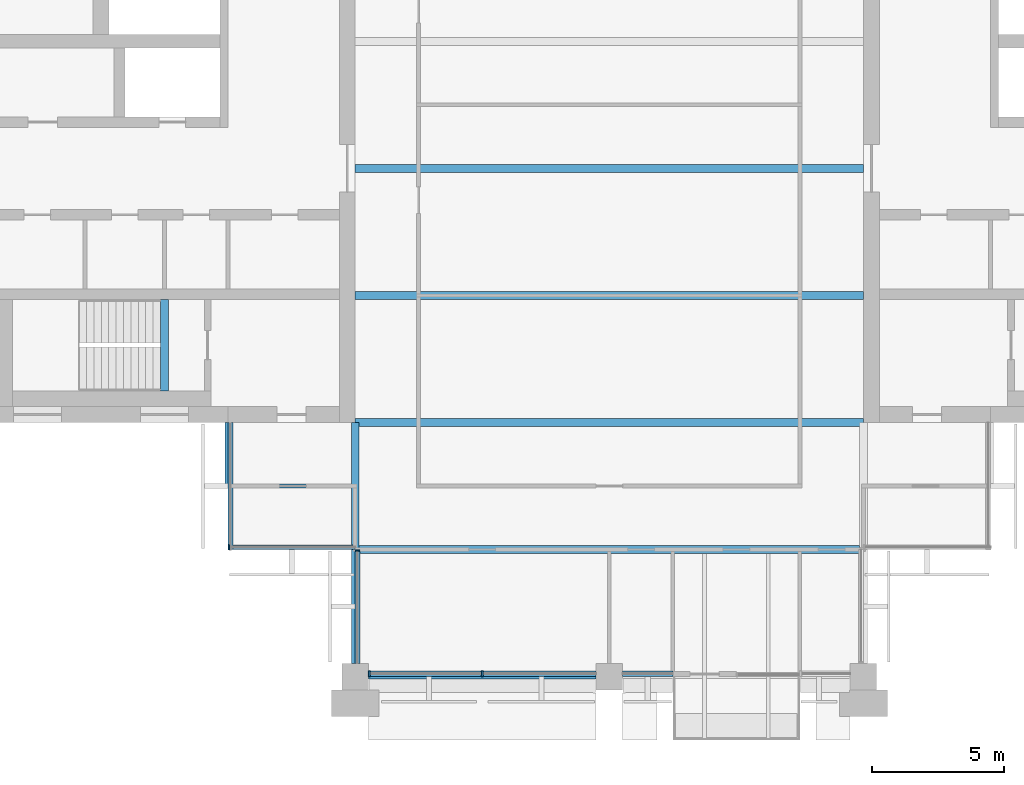
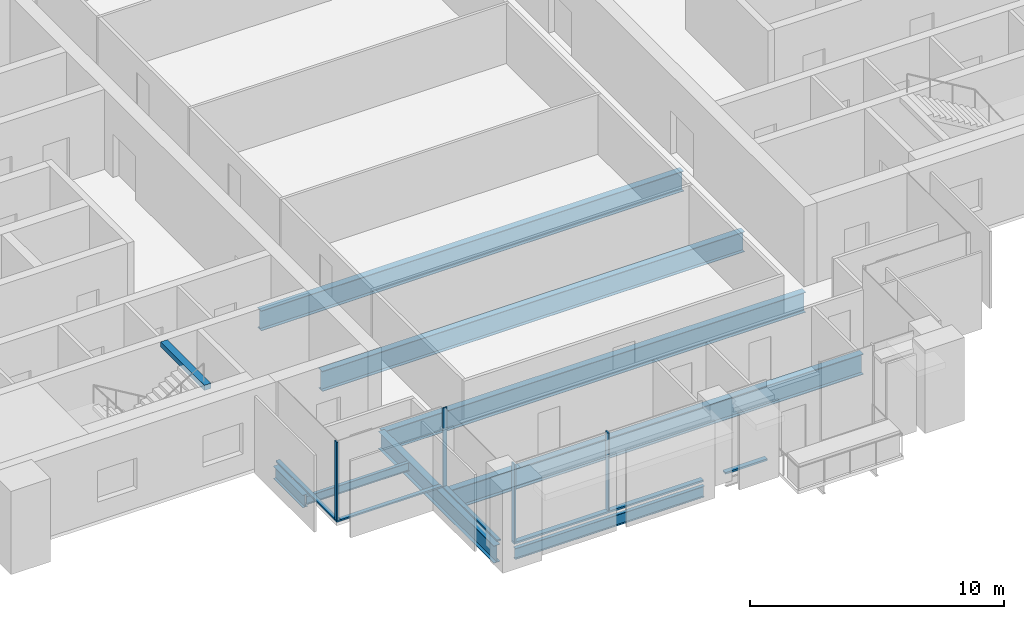
# One storey, part 2 of 13: 9 beams, 9 members, 4 elements without a shape of their own.
"""IFC4 building model written with IfcOpenShell, lengths in metres."""

from ifc_helpers import new_model, si_unit, direction, frame, origin, origin_2d, place, context, subcontext, project, spatial, rectangle, i_section, extrude, material, material_profile, profile_set, type_object, element, aggregate, save


model = new_model("IFC4")

# Units and contexts
model_context = context("Model", 3, precision=1e-05, world=origin(), true_north=direction((0.0, 1.0)))
body_context = subcontext(model_context, "Body", "Model", "MODEL_VIEW")
ifc_project = project(units=[si_unit("LENGTHUNIT", "METRE"), si_unit("AREAUNIT", "SQUARE_METRE"), si_unit("VOLUMEUNIT", "CUBIC_METRE"), si_unit("PLANEANGLEUNIT", "RADIAN"), si_unit("MASSUNIT", "GRAM", prefix="KILO")], contexts=[model_context])

# Site, building, storey
site_placement = place(None, origin())
site = spatial("IfcSite", under=ifc_project, at=site_placement, CompositionType="ELEMENT")
building_placement = place(site_placement, origin())
building = spatial("IfcBuilding", under=site, at=building_placement, Name="Baori Bourse Tower", CompositionType="ELEMENT")
storey_placement = place(building_placement, frame((0.0, 0.0, 326.300048828125)))
storey = spatial("IfcBuildingStorey", under=building, at=storey_placement, Name="L72", CompositionType="ELEMENT", Elevation=326.300048828125)

# Curtain wall, member
ifc_material_1 = material(Name="Pale anodised aluminium", Category="aluminium")
curtain_wall_type_1 = type_object("IfcCurtainWallType", Name="CW2 Curtain wall", PredefinedType="NOTDEFINED", material=ifc_material_1)
curtain_wall_1_placement = place(storey_placement, origin())
curtain_wall_1 = element("IfcCurtainWall", 1, at=curtain_wall_1_placement, inside=storey, type_object=curtain_wall_type_1, Name="Curtain wall CW2 L72 11", PredefinedType="NOTDEFINED")
ifc_material_2 = material(Name="Pale anodised aluminium", Category="aluminium")
ifc_material_profile_1 = material_profile(ifc_material_2, rectangle(XDim=0.179931640625, YDim=0.054931640625, at=origin_2d()), Name="Mullion 55x180")
ifc_profile_set_1 = profile_set([ifc_material_profile_1], Name="Pale anodised aluminium")
member_type_1 = type_object("IfcMemberType", Name="CW2 Curtain wall mullion", PredefinedType="MULLION", material=ifc_profile_set_1)
member_1_placement = place(storey_placement, frame((14.427490234375, 4.889892578125, 0.070068359375), z_axis=(0.0, 0.0, 1.0), x_axis=(0.0, 1.0, 0.0)))
member_1 = element("IfcMember", 2, at=member_1_placement, type_object=member_type_1, Name="Curtain wall CW2 mullion", PredefinedType="MULLION", context=body_context, shape_type="SweptSolid", body=[
    extrude(rectangle(XDim=0.179931640625, YDim=0.054931640625, at=origin_2d()), origin(), (0.0, 0.0, 1.0), 3.769775390625),
])

curtain_wall_2_placement = place(storey_placement, origin())
curtain_wall_2 = element("IfcCurtainWall", 3, at=curtain_wall_2_placement, inside=storey, type_object=curtain_wall_type_1, Name="Curtain wall CW2 L72 12", PredefinedType="NOTDEFINED")
member_2_placement = place(storey_placement, frame((19.2900390625, 4.7724609375, 0.070068359375), z_axis=(0.0, 0.0, 1.0), x_axis=(1.0, 0.0, 0.0)))
member_2 = element("IfcMember", 4, at=member_2_placement, type_object=member_type_1, Name="Curtain wall CW2 mullion", PredefinedType="MULLION", context=body_context, shape_type="SweptSolid", body=[
    extrude(rectangle(XDim=0.179931640625, YDim=0.054931640625, at=origin_2d()), origin(), (0.0, 0.0, 1.0), 3.769775390625),
])

curtain_wall_3_placement = place(storey_placement, origin())
curtain_wall_3 = element("IfcCurtainWall", 5, at=curtain_wall_3_placement, inside=storey, type_object=curtain_wall_type_1, Name="Curtain wall CW2 L72 10", PredefinedType="NOTDEFINED")
ifc_material_3 = material(Name="Pale anodised aluminium", Category="aluminium")
ifc_material_profile_2 = material_profile(ifc_material_3, rectangle(XDim=0.179931640625, YDim=0.070068359375, at=origin_2d()), Name="Transom 70x180")
ifc_profile_set_2 = profile_set([ifc_material_profile_2], Name="Pale anodised aluminium")
member_type_2 = type_object("IfcMemberType", Name="CW2 Curtain wall transom", PredefinedType="USERDEFINED", material=ifc_profile_set_2)
member_3_placement = place(storey_placement, frame((14.489990234375, 9.60009765625, 0.034912109375), z_axis=(0.0, -1.0, 0.0), x_axis=(1.0, 0.0, 0.0)))
member_3 = element("IfcMember", 6, at=member_3_placement, type_object=member_type_2, Name="Curtain wall CW2 sill rail", ObjectType="TRANSOM", PredefinedType="USERDEFINED", context=body_context, shape_type="SweptSolid", body=[
    extrude(rectangle(XDim=0.179931640625, YDim=0.070068359375, at=origin_2d()), origin(), (0.0, 0.0, 1.0), 4.800048828125),
])
aggregate(curtain_wall_3, [member_3])

# Member
member_4_placement = place(storey_placement, frame((14.39990234375, 4.889892578125, 0.034912109375), z_axis=(1.0, 0.0, 0.0), x_axis=(0.0, 1.0, 0.0)))
member_4 = element("IfcMember", 7, at=member_4_placement, type_object=member_type_2, Name="Curtain wall CW2 sill rail", ObjectType="TRANSOM", PredefinedType="USERDEFINED", context=body_context, shape_type="SweptSolid", body=[
    extrude(rectangle(XDim=0.179931640625, YDim=0.070068359375, at=origin_2d()), origin(), (0.0, 0.0, 1.0), 4.800048828125),
])

aggregate(curtain_wall_1, [member_4, member_1])

member_5_placement = place(storey_placement, frame((19.2900390625, 4.800048828125, 0.034912109375), z_axis=(0.0, -1.0, 0.0), x_axis=(1.0, 0.0, 0.0)))
member_5 = element("IfcMember", 8, at=member_5_placement, type_object=member_type_2, Name="Curtain wall CW2 sill rail", ObjectType="TRANSOM", PredefinedType="USERDEFINED", context=body_context, shape_type="SweptSolid", body=[
    extrude(rectangle(XDim=0.179931640625, YDim=0.070068359375, at=origin_2d()), origin(), (0.0, 0.0, 1.0), 4.300048828125),
])

aggregate(curtain_wall_2, [member_5, member_2])

# Curtain wall, members
ifc_material_4 = material(Name="Pale anodised aluminium", Category="aluminium")
curtain_wall_type_2 = type_object("IfcCurtainWallType", Name="CW5 Curtain wall", PredefinedType="NOTDEFINED", material=ifc_material_4)
curtain_wall_4_placement = place(storey_placement, origin())
curtain_wall_4 = element("IfcCurtainWall", 9, at=curtain_wall_4_placement, inside=storey, type_object=curtain_wall_type_2, Name="Curtain wall CW5 L72 13", PredefinedType="NOTDEFINED")
ifc_material_5 = material(Name="Pale anodised aluminium", Category="aluminium")
ifc_material_profile_3 = material_profile(ifc_material_5, rectangle(XDim=0.219970703125, YDim=0.06494140625, at=origin_2d()), Name="Mullion 65x220")
ifc_profile_set_3 = profile_set([ifc_material_profile_3], Name="Pale anodised aluminium")
member_type_3 = type_object("IfcMemberType", Name="CW5 Curtain wall mullion", PredefinedType="MULLION", material=ifc_profile_set_3)
member_6_placement = place(storey_placement, frame((19.732421875, 0.110107421875, 0.0849609375), z_axis=(0.0, 0.0, 1.0), x_axis=(0.0, 1.0, 0.0)))
member_6 = element("IfcMember", 10, at=member_6_placement, type_object=member_type_3, Name="Curtain wall CW5 mullion", PredefinedType="MULLION", context=body_context, shape_type="SweptSolid", body=[
    extrude(rectangle(XDim=0.219970703125, YDim=0.06494140625, at=origin_2d()), origin(), (0.0, 0.0, 1.0), 3.7548828125),
])
member_7_placement = place(storey_placement, frame((24.0, 0.110107421875, 0.0849609375), z_axis=(0.0, 0.0, 1.0), x_axis=(0.0, 1.0, 0.0)))
member_7 = element("IfcMember", 11, at=member_7_placement, type_object=member_type_3, Name="Curtain wall CW5 mullion", PredefinedType="MULLION", context=body_context, shape_type="SweptSolid", body=[
    extrude(rectangle(XDim=0.219970703125, YDim=0.06494140625, at=origin_2d()), origin(), (0.0, 0.0, 1.0), 3.7548828125),
])
ifc_material_6 = material(Name="Pale anodised aluminium", Category="aluminium")
ifc_material_profile_4 = material_profile(ifc_material_6, rectangle(XDim=0.219970703125, YDim=0.0849609375, at=origin_2d()), Name="Transom 85x220")
ifc_profile_set_4 = profile_set([ifc_material_profile_4], Name="Pale anodised aluminium")
member_type_4 = type_object("IfcMemberType", Name="CW5 Curtain wall transom", PredefinedType="USERDEFINED", material=ifc_profile_set_4)
member_8_placement = place(storey_placement, frame((19.699951171875, 0.110107421875, 0.04248046875), z_axis=(1.0, 0.0, 0.0), x_axis=(0.0, 1.0, 0.0)))
member_8 = element("IfcMember", 12, at=member_8_placement, type_object=member_type_4, Name="Curtain wall CW5 sill rail", ObjectType="TRANSOM", PredefinedType="USERDEFINED", context=body_context, shape_type="SweptSolid", body=[
    extrude(rectangle(XDim=0.219970703125, YDim=0.0849609375, at=origin_2d()), origin(), (0.0, 0.0, 1.0), 8.60009765625),
])
member_9_placement = place(storey_placement, frame((29.300048828125, 0.110107421875, 0.04248046875), z_axis=(1.0, 0.0, 0.0), x_axis=(0.0, 1.0, 0.0)))
member_9 = element("IfcMember", 13, at=member_9_placement, type_object=member_type_4, Name="Curtain wall CW5 sill rail", ObjectType="TRANSOM", PredefinedType="USERDEFINED", context=body_context, shape_type="SweptSolid", body=[
    extrude(rectangle(XDim=0.219970703125, YDim=0.0849609375, at=origin_2d()), origin(), (0.0, 0.0, 1.0), 1.89990234375),
])
aggregate(curtain_wall_4, [member_8, member_6, member_7, member_9])

# Beams
ifc_material_7 = material(Name="Steel A992 Gr 50", Category="steel")
ifc_material_profile_5 = material_profile(ifc_material_7, i_section(OverallWidth=0.227783203125, OverallDepth=0.60205078125, WebThickness=0.010498046875, FlangeThickness=0.014892578125, at=origin_2d()), Name="W24x68")
ifc_profile_set_5 = profile_set([ifc_material_profile_5], Name="Steel A992 Gr 50")
beam_type_1 = type_object("IfcBeamType", Name="Core bracket W24x68", PredefinedType="BEAM", material=ifc_profile_set_5)
beam_1_placement = place(storey_placement, frame((14.39990234375, 7.270263671875, -0.4609375), z_axis=(0.0, 1.0, 0.0), x_axis=(-1.0, 0.0, 0.0)))
element("IfcBeam", 14, at=beam_1_placement, inside=storey, type_object=beam_type_1, Name="Core bracket L72", PredefinedType="BEAM", context=body_context, shape_type="SweptSolid", body=[
    extrude(i_section(OverallWidth=0.227783203125, OverallDepth=0.60205078125, WebThickness=0.010498046875, FlangeThickness=0.014892578125, at=origin_2d()), origin(), (0.0, 0.0, 1.0), 2.329833984375),
])
ifc_material_8 = material(Name="Steel A992 Gr 50", Category="steel")
ifc_material_profile_6 = material_profile(ifc_material_8, i_section(OverallWidth=0.1650390625, OverallDepth=0.52587890625, WebThickness=0.0087890625, FlangeThickness=0.011474609375, at=origin_2d()), Name="W21x44")
ifc_profile_set_6 = profile_set([ifc_material_profile_6], Name="Steel A992 Gr 50")
beam_type_2 = type_object("IfcBeamType", Name="Edge beam W21x44", PredefinedType="BEAM", material=ifc_profile_set_6)
beam_2_placement = place(storey_placement, frame((19.699951171875, 0.0, -0.4228515625), z_axis=(1.0, 0.0, 0.0), x_axis=(0.0, 1.0, 0.0)))
element("IfcBeam", 15, at=beam_2_placement, inside=storey, type_object=beam_type_2, Name="Edge beam L72", PredefinedType="BEAM", context=body_context, shape_type="SweptSolid", body=[
    extrude(i_section(OverallWidth=0.1650390625, OverallDepth=0.52587890625, WebThickness=0.0087890625, FlangeThickness=0.011474609375, at=origin_2d()), origin(), (0.0, 0.0, 1.0), 8.60009765625),
])
ifc_material_9 = material(Name="Steel A992 Gr 50", Category="steel")
ifc_material_profile_7 = material_profile(ifc_material_9, i_section(OverallWidth=0.2998046875, OverallDepth=0.97021484375, WebThickness=0.01611328125, FlangeThickness=0.02099609375, at=origin_2d()), Name="W40x149")
ifc_profile_set_7 = profile_set([ifc_material_profile_7], Name="Steel A992 Gr 50")
beam_type_3 = type_object("IfcBeamType", Name="Floor beam W40x149", PredefinedType="BEAM", material=ifc_profile_set_7)
for number, where, z_axis, x_axis, name in (
    (16, (19.199951171875, 9.60009765625, -0.645263671875), (1.0, 0.0, 0.0), (0.0, 1.0, 0.0), "Floor beam L72"),
    (17, (19.199951171875, 14.39990234375, -0.645263671875), (1.0, 0.0, 0.0), (0.0, 1.0, 0.0), "Floor beam L72"),
    (18, (19.199951171875, 19.199951171875, -0.645263671875), (1.0, 0.0, 0.0), (0.0, 1.0, 0.0), "Floor beam L72"),
):
    element("IfcBeam", number, at=place(storey_placement, frame(where, z_axis=z_axis, x_axis=x_axis)), inside=storey, type_object=beam_type_3, Name=name, PredefinedType="BEAM", context=body_context, shape_type="SweptSolid", body=[
        extrude(i_section(OverallWidth=0.2998046875, OverallDepth=0.97021484375, WebThickness=0.01611328125, FlangeThickness=0.02099609375, at=origin_2d()), origin(), (0.0, 0.0, 1.0), 19.199951171875),
    ])
ifc_material_10 = material(Name="Steel A992 Gr 50", Category="steel")
ifc_material_profile_8 = material_profile(ifc_material_10, i_section(OverallWidth=0.2998046875, OverallDepth=0.990478515625, WebThickness=0.0166015625, FlangeThickness=0.030517578125, at=origin_2d()), Name="W40x183")
ifc_profile_set_8 = profile_set([ifc_material_profile_8], Name="Steel A992 Gr 50")
beam_type_4 = type_object("IfcBeamType", Name="Floor beam W40x183", PredefinedType="BEAM", material=ifc_profile_set_8)
beam_3_placement = place(storey_placement, frame((19.345947265625, 4.800048828125, -0.6552734375), z_axis=(1.0, 0.0, 0.0), x_axis=(0.0, 1.0, 0.0)))
element("IfcBeam", 19, at=beam_3_placement, inside=storey, type_object=beam_type_4, Name="Floor beam L72", PredefinedType="BEAM", context=body_context, shape_type="SweptSolid", body=[
    extrude(i_section(OverallWidth=0.2998046875, OverallDepth=0.990478515625, WebThickness=0.0166015625, FlangeThickness=0.030517578125, at=origin_2d()), origin(), (0.0, 0.0, 1.0), 18.901611328125),
])
ifc_material_11 = material(Name="Steel A992 Gr 50", Category="steel")
ifc_material_profile_9 = material_profile(ifc_material_11, i_section(OverallWidth=0.2919921875, OverallDepth=0.835693359375, WebThickness=0.013916015625, FlangeThickness=0.018798828125, at=origin_2d()), Name="W33x118")
ifc_profile_set_9 = profile_set([ifc_material_profile_9], Name="Steel A992 Gr 50")
beam_type_5 = type_object("IfcBeamType", Name="Girder W33x118", PredefinedType="BEAM", material=ifc_profile_set_9)
beam_4_placement = place(storey_placement, frame((19.199951171875, 0.5, -0.577880859375), z_axis=(0.0, 1.0, 0.0), x_axis=(-1.0, 0.0, 0.0)))
element("IfcBeam", 20, at=beam_4_placement, inside=storey, type_object=beam_type_5, Name="Girder L72", PredefinedType="BEAM", context=body_context, shape_type="SweptSolid", body=[
    extrude(i_section(OverallWidth=0.2919921875, OverallDepth=0.835693359375, WebThickness=0.013916015625, FlangeThickness=0.018798828125, at=origin_2d()), origin(), (0.0, 0.0, 1.0), 9.10009765625),
])
ifc_material_12 = material(Name="Concrete f'c 50 MPa", Category="concrete")
ifc_material_profile_10 = material_profile(ifc_material_12, rectangle(XDim=0.300048828125, YDim=0.25, at=origin_2d()), Name="RC 300x250")
ifc_profile_set_10 = profile_set([ifc_material_profile_10], Name="Concrete f'c 50 MPa")
beam_type_6 = type_object("IfcBeamType", Name="Stair nib beam RC 300x250", PredefinedType="BEAM", material=ifc_profile_set_10)
beam_5_placement = place(storey_placement, frame((12.0, 10.800048828125, 3.71484375), z_axis=(0.0, 1.0, 0.0), x_axis=(-1.0, 0.0, 0.0)))
element("IfcBeam", 21, at=beam_5_placement, inside=storey, type_object=beam_type_6, Name="Stair WA nib beam L73", PredefinedType="BEAM", context=body_context, shape_type="SweptSolid", body=[
    extrude(rectangle(XDim=0.300048828125, YDim=0.25, at=origin_2d()), origin(), (0.0, 0.0, 1.0), 3.449951171875),
])
ifc_material_13 = material(Name="Steel A992 Gr 50", Category="steel")
ifc_material_profile_11 = material_profile(ifc_material_13, i_section(OverallWidth=0.140380859375, OverallDepth=0.40380859375, WebThickness=0.007080078125, FlangeThickness=0.01123046875, at=origin_2d()), Name="W16x31")
ifc_profile_set_11 = profile_set([ifc_material_profile_11], Name="Steel A992 Gr 50")
beam_type_7 = type_object("IfcBeamType", Name="Trimmer beam W16x31", PredefinedType="BEAM", material=ifc_profile_set_11)
beam_6_placement = place(storey_placement, frame((14.39990234375, 7.199951171875, -0.362060546875), z_axis=(1.0, 0.0, 0.0), x_axis=(0.0, 1.0, 0.0)))
element("IfcBeam", 22, at=beam_6_placement, inside=storey, type_object=beam_type_7, Name="Trimmer beam L72", PredefinedType="BEAM", context=body_context, shape_type="SweptSolid", body=[
    extrude(i_section(OverallWidth=0.140380859375, OverallDepth=0.40380859375, WebThickness=0.007080078125, FlangeThickness=0.01123046875, at=origin_2d()), origin(), (0.0, 0.0, 1.0), 4.654052734375),
])

save(model, "model.ifc")
